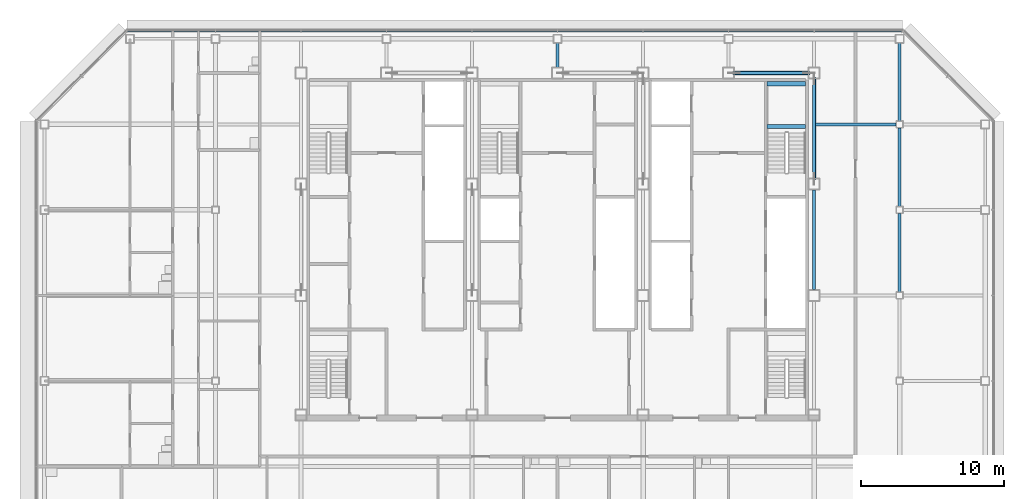
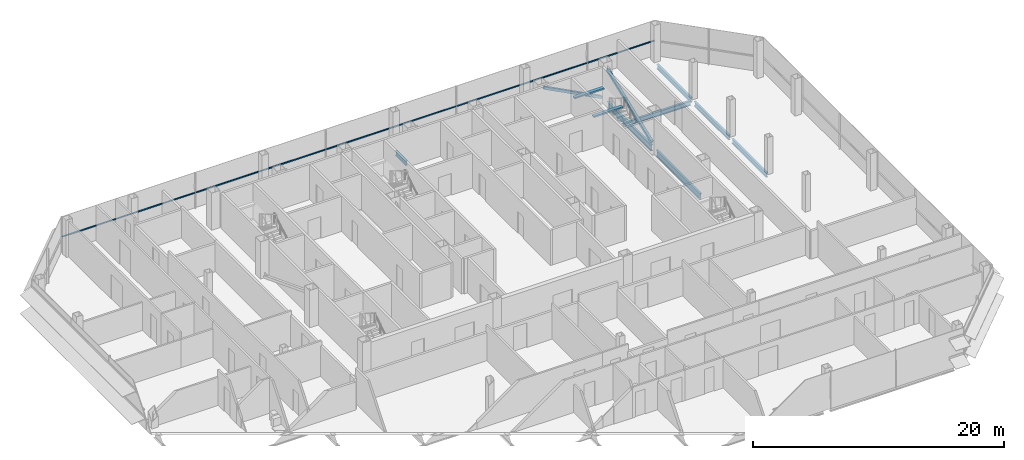
# One storey, part 15 of 28: 9 beams, 3 members, 1 element without a shape of its own.
"""IFC4 building model written with IfcOpenShell, lengths in metres."""

from ifc_helpers import new_model, si_unit, direction, frame, origin, origin_2d, place, context, subcontext, project, spatial, rectangle, hollow_rectangle, i_section, extrude, material, material_profile, profile_set, type_object, element, aggregate, save


model = new_model("IFC4")

# Units and contexts
model_context = context("Model", 3, precision=1e-05, world=origin(), true_north=direction((0.0, 1.0)))
body_context = subcontext(model_context, "Body", "Model", "MODEL_VIEW")
ifc_project = project(units=[si_unit("LENGTHUNIT", "METRE"), si_unit("AREAUNIT", "SQUARE_METRE"), si_unit("VOLUMEUNIT", "CUBIC_METRE"), si_unit("PLANEANGLEUNIT", "RADIAN"), si_unit("MASSUNIT", "GRAM", prefix="KILO")], contexts=[model_context])

# Site, building, storey
site_placement = place(None, origin())
site = spatial("IfcSite", under=ifc_project, at=site_placement, CompositionType="ELEMENT")
building_placement = place(site_placement, origin())
building = spatial("IfcBuilding", under=site, at=building_placement, Name="Sorahane Residences", CompositionType="ELEMENT")
storey_placement = place(building_placement, frame((0.0, 0.0, 266.60009765625)))
storey = spatial("IfcBuildingStorey", under=building, at=storey_placement, Name="L63", CompositionType="ELEMENT", Elevation=266.60009765625)

# Members
ifc_material_1 = material(Name="Steel Q355B", Category="steel")
ifc_material_profile_1 = material_profile(ifc_material_1, hollow_rectangle(XDim=0.25, YDim=0.25, WallThickness=0.013916015625, InnerFilletRadius=0.007080078125, OuterFilletRadius=0.02099609375, at=origin_2d()), Name="RHS 250x250x14")
ifc_profile_set_1 = profile_set([ifc_material_profile_1], Name="Steel Q355B")
member_type_1 = type_object("IfcMemberType", Name="Core brace RHS 250x250x14 Q355B", PredefinedType="BRACE", material=ifc_profile_set_1)
member_1_placement = place(storey_placement, frame((41.634765625, 45.60009765625, 0.106689453125), z_axis=(-0.886099769192, 0.0, 0.46349455125), x_axis=(0.0, -1.0, 0.0)))
element("IfcMember", 1, at=member_1_placement, inside=storey, type_object=member_type_1, Name="Core brace L63 y45.6-6", PredefinedType="BRACE", context=body_context, shape_type="SweptSolid", body=[
    extrude(hollow_rectangle(XDim=0.25, YDim=0.25, WallThickness=0.013916015625, InnerFilletRadius=0.007080078125, OuterFilletRadius=0.02099609375, at=origin_2d()), origin(), (0.0, 0.0, 1.0), 5.94677734375),
])
member_2_placement = place(storey_placement, frame((42.0, 38.1728515625, 0.1142578125), z_axis=(0.0, 0.932097872445, 0.362206510411), x_axis=(-1.0, 0.0, 0.0)))
element("IfcMember", 2, at=member_2_placement, inside=storey, type_object=member_type_1, Name="Core brace L63 x42-3", PredefinedType="BRACE", context=body_context, shape_type="SweptSolid", body=[
    extrude(hollow_rectangle(XDim=0.25, YDim=0.25, WallThickness=0.013916015625, InnerFilletRadius=0.007080078125, OuterFilletRadius=0.02099609375, at=origin_2d()), origin(), (0.0, 0.0, 1.0), 7.568115234375),
])

# Curtain wall, member
ifc_material_2 = material(Name="Dark low-e glass and black anodised aluminium", Category="aluminium")
curtain_wall_type = type_object("IfcCurtainWallType", Name="Curtain wall CW-1 Typical unitised wall", PredefinedType="NOTDEFINED", material=ifc_material_2)
curtain_wall_placement = place(storey_placement, origin())
curtain_wall = element("IfcCurtainWall", 3, at=curtain_wall_placement, inside=storey, type_object=curtain_wall_type, Name="CW-1 curtain wall L63 N1", PredefinedType="NOTDEFINED")
ifc_material_3 = material(Name="Black anodised aluminium", Category="aluminium")
ifc_material_profile_2 = material_profile(ifc_material_3, rectangle(XDim=0.10009765625, YDim=0.06005859375, at=origin_2d()), Name="Curtain wall transom CW-1 black anodised aluminium 60x100")
ifc_profile_set_2 = profile_set([ifc_material_profile_2], Name="Black anodised aluminium")
member_type_2 = type_object("IfcMemberType", Name="Curtain wall transom CW-1 black anodised aluminium 60x100", PredefinedType="USERDEFINED", material=ifc_profile_set_2)
member_3_placement = place(storey_placement, frame((48.198486328125, 48.530029296875, 1.5), z_axis=(-1.0, 0.0, 0.0), x_axis=(0.0, -1.0, 0.0)))
member_3 = element("IfcMember", 4, at=member_3_placement, type_object=member_type_2, Name="CW-1 transom L63 N1", ObjectType="TRANSOM", PredefinedType="USERDEFINED", context=body_context, shape_type="SweptSolid", body=[
    extrude(rectangle(XDim=0.10009765625, YDim=0.06005859375, at=origin_2d()), origin(), (0.0, 0.0, 1.0), 54.39697265625),
])
aggregate(curtain_wall, [member_3])

# Beams
ifc_material_4 = material(Name="Concrete C40", Category="concrete")
ifc_material_profile_3 = material_profile(ifc_material_4, rectangle(XDim=0.300048828125, YDim=0.139892578125, at=origin_2d()), Name="300x140")
ifc_profile_set_3 = profile_set([ifc_material_profile_3], Name="Concrete C40")
beam_type_1 = type_object("IfcBeamType", Name="RC landing beam 300 x 140 Concrete C40", PredefinedType="BEAM", material=ifc_profile_set_3)
for number, where, z_axis, x_axis, name in (
    (5, (38.699951171875, 41.85009765625, 1.52978515625), (1.0, 0.0, 0.0), (0.0, 1.0, 0.0), "Landing beam"),
    (6, (38.699951171875, 44.85009765625, 1.52978515625), (1.0, 0.0, 0.0), (0.0, 1.0, 0.0), "Landing beam"),
):
    element("IfcBeam", number, at=place(storey_placement, frame(where, z_axis=z_axis, x_axis=x_axis)), inside=storey, type_object=beam_type_1, Name=name, PredefinedType="BEAM", context=body_context, shape_type="SweptSolid", body=[
        extrude(rectangle(XDim=0.300048828125, YDim=0.139892578125, at=origin_2d()), origin(), (0.0, 0.0, 1.0), 2.699951171875),
    ])
ifc_material_5 = material(Name="Steel Q355B", Category="steel")
ifc_material_profile_4 = material_profile(ifc_material_5, i_section(OverallWidth=0.199951171875, OverallDepth=0.449951171875, WebThickness=0.009033203125, FlangeThickness=0.013916015625, FilletRadius=0.02001953125, at=origin_2d()), Name="HN 450x200x9x14")
ifc_profile_set_4 = profile_set([ifc_material_profile_4], Name="Steel Q355B")
beam_type_2 = type_object("IfcBeamType", Name="Steel floor beam HN 450x200x9x14 Q355B", PredefinedType="BEAM", material=ifc_profile_set_4)
beam_1_placement = place(storey_placement, frame((24.0, 46.0, -0.405029296875), z_axis=(0.0, 1.0, 0.0), x_axis=(-1.0, 0.0, 0.0)))
element("IfcBeam", 7, at=beam_1_placement, inside=storey, type_object=beam_type_2, Name="Beam L63 043", PredefinedType="BEAM", context=body_context, shape_type="SweptSolid", body=[
    extrude(i_section(OverallWidth=0.199951171875, OverallDepth=0.449951171875, WebThickness=0.009033203125, FlangeThickness=0.013916015625, FilletRadius=0.02001953125, at=origin_2d()), origin(), (0.0, 0.0, 1.0), 1.699951171875),
])
for number, where, z_axis, x_axis, name in (
    (8, (48.0, 30.25, -0.405029296875), (0.0, 1.0, 0.0), (-1.0, 0.0, 0.0), "Beam L63 061"),
    (9, (48.0, 36.25, -0.405029296875), (0.0, 1.0, 0.0), (-1.0, 0.0, 0.0), "Beam L63 062"),
):
    element("IfcBeam", number, at=place(storey_placement, frame(where, z_axis=z_axis, x_axis=x_axis)), inside=storey, type_object=beam_type_2, Name=name, PredefinedType="BEAM", context=body_context, shape_type="SweptSolid", body=[
        extrude(i_section(OverallWidth=0.199951171875, OverallDepth=0.449951171875, WebThickness=0.009033203125, FlangeThickness=0.013916015625, FilletRadius=0.02001953125, at=origin_2d()), origin(), (0.0, 0.0, 1.0), 5.5),
    ])
beam_2_placement = place(storey_placement, frame((48.0, 42.25, -0.405029296875), z_axis=(0.0, 1.0, 0.0), x_axis=(-1.0, 0.0, 0.0)))
element("IfcBeam", 10, at=beam_2_placement, inside=storey, type_object=beam_type_2, Name="Beam L63 063", PredefinedType="BEAM", context=body_context, shape_type="SweptSolid", body=[
    extrude(i_section(OverallWidth=0.199951171875, OverallDepth=0.449951171875, WebThickness=0.009033203125, FlangeThickness=0.013916015625, FilletRadius=0.02001953125, at=origin_2d()), origin(), (0.0, 0.0, 1.0), 5.449951171875),
])
beam_3_placement = place(storey_placement, frame((42.10009765625, 42.0, -0.405029296875), z_axis=(1.0, 0.0, 0.0), x_axis=(0.0, 1.0, 0.0)))
element("IfcBeam", 11, at=beam_3_placement, inside=storey, type_object=beam_type_2, Name="Beam L63 091", PredefinedType="BEAM", context=body_context, shape_type="SweptSolid", body=[
    extrude(i_section(OverallWidth=0.199951171875, OverallDepth=0.449951171875, WebThickness=0.009033203125, FlangeThickness=0.013916015625, FilletRadius=0.02001953125, at=origin_2d()), origin(), (0.0, 0.0, 1.0), 5.64990234375),
])
ifc_material_6 = material(Name="Steel Q355B", Category="steel")
ifc_material_profile_5 = material_profile(ifc_material_6, i_section(OverallWidth=0.199951171875, OverallDepth=0.60009765625, WebThickness=0.010986328125, FlangeThickness=0.01708984375, FilletRadius=0.02392578125, at=origin_2d()), Name="HN 600x200x11x17")
ifc_profile_set_5 = profile_set([ifc_material_profile_5], Name="Steel Q355B")
beam_type_3 = type_object("IfcBeamType", Name="Steel floor beam HN 600x200x11x17 Q355B", PredefinedType="BEAM", material=ifc_profile_set_5)
for number, where, z_axis, x_axis, name in (
    (12, (42.0, 30.39990234375, -0.47998046875), (0.0, 1.0, 0.0), (-1.0, 0.0, 0.0), "Beam L63 055"),
    (13, (42.0, 38.199951171875, -0.47998046875), (0.0, 1.0, 0.0), (-1.0, 0.0, 0.0), "Beam L63 056"),
):
    element("IfcBeam", number, at=place(storey_placement, frame(where, z_axis=z_axis, x_axis=x_axis)), inside=storey, type_object=beam_type_3, Name=name, PredefinedType="BEAM", context=body_context, shape_type="SweptSolid", body=[
        extrude(i_section(OverallWidth=0.199951171875, OverallDepth=0.60009765625, WebThickness=0.010986328125, FlangeThickness=0.01708984375, FilletRadius=0.02392578125, at=origin_2d()), origin(), (0.0, 0.0, 1.0), 7.0),
    ])

save(model, "model.ifc")
